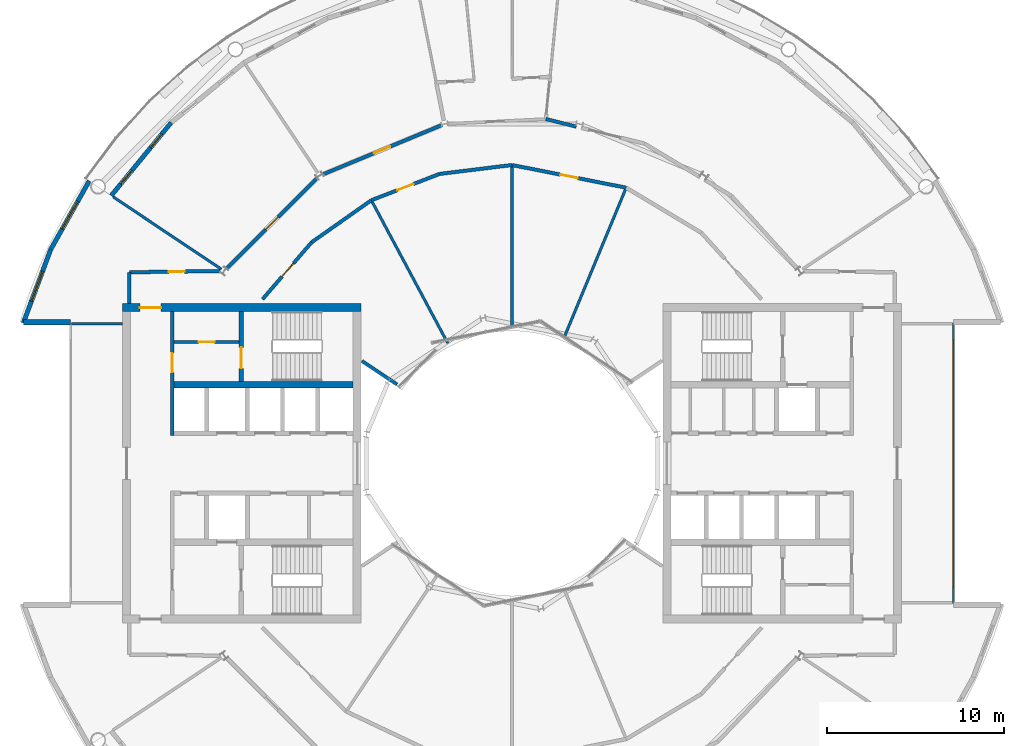
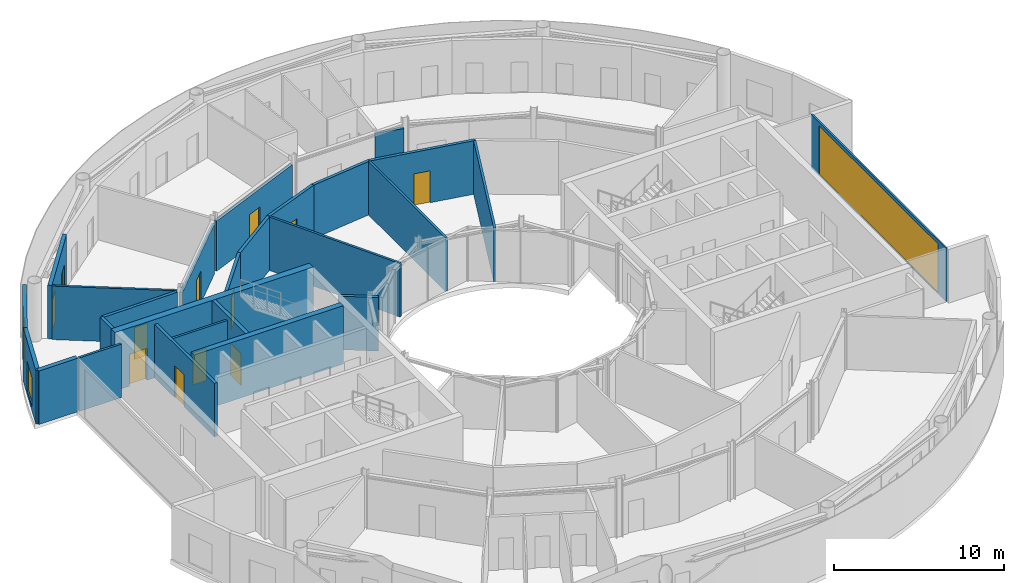
# One storey, part 17 of 22: 26 walls, 12 doors, 3 windows, 15 openings.
"""IFC4 building model written with IfcOpenShell, lengths in metres."""

from ifc_helpers import new_model, si_unit, direction, frame, frame_2d, origin, place, context, subcontext, project, spatial, rectangle, extrude, material, layer, layer_set, type_object, element, fill, save


model = new_model("IFC4")

# Units and contexts
model_context = context("Model", 3, precision=1e-05, world=origin(), true_north=direction((0.0, 1.0)))
body_context = subcontext(model_context, "Body", "Model", "MODEL_VIEW")
ifc_project = project(units=[si_unit("LENGTHUNIT", "METRE"), si_unit("AREAUNIT", "SQUARE_METRE"), si_unit("VOLUMEUNIT", "CUBIC_METRE"), si_unit("PLANEANGLEUNIT", "RADIAN"), si_unit("MASSUNIT", "GRAM", prefix="KILO")], contexts=[model_context])

# Site, building, storey
site_placement = place(None, origin())
site = spatial("IfcSite", under=ifc_project, at=site_placement, CompositionType="ELEMENT")
building_placement = place(site_placement, origin())
building = spatial("IfcBuilding", under=site, at=building_placement, Name="Maasbend Ring Residences", CompositionType="ELEMENT")
storey_placement = place(building_placement, frame((0.0, 0.0, 208.5)))
storey = spatial("IfcBuildingStorey", under=building, at=storey_placement, Name="L60", CompositionType="ELEMENT", Elevation=208.5)

# Wall, opening, door
ifc_material_1 = material(Name="Concrete C50/60", Category="concrete")
ifc_layer_1 = layer(ifc_material_1, 0.25)
ifc_layer_set_1 = layer_set([ifc_layer_1], Name="Concrete C50/60")
wall_type_1 = type_object("IfcWallType", Name="CORE WALL 250 C50/60", PredefinedType="SHEAR", material=ifc_layer_set_1)
wall_1_placement = place(storey_placement, frame((-15.324951171875, 8.60009765625, 0.0), z_axis=(0.0, 0.0, 1.0), x_axis=(0.0, -1.0, 0.0)))
wall_1 = element("IfcWall", 1, at=wall_1_placement, inside=storey, type_object=wall_type_1, Name="L60 core W wall STES", PredefinedType="SHEAR", context=body_context, shape_type="SweptSolid", body=[
    extrude(rectangle(XDim=3.9501953125, YDim=0.25, at=frame_2d((1.97509765625, 0.0))), origin(), (0.0, 0.0, 1.0), 4.199951171875),
])
opening_1_placement = place(wall_1_placement, frame((2.02490234375, 0.0, 0.0)))
opening_1 = element("IfcOpeningElement", 2, at=opening_1_placement, cuts=wall_1, Name="Opening D-W6011", PredefinedType="OPENING", context=body_context, shape_type="SweptSolid", body=[
    extrude(rectangle(XDim=1.199951171875, YDim=2.300048828125, at=frame_2d((0.60009765625, 1.14990234375))), frame((0.0, 0.135009765625, 0.0), z_axis=(0.0, -1.0, 0.0), x_axis=(1.0, 0.0, 0.0)), (0.0, 0.0, 1.0), 0.27001953125),
])
ifc_material_2 = material(Name="Steel, powder coated", Category="steel")
door_type_1 = type_object("IfcDoorType", Name="STAIR DOOR 1200 X 2300 FD60", OperationType="NOTDEFINED", PredefinedType="DOOR", material=ifc_material_2)
door_1_placement = place(opening_1_placement, origin())
door_1 = element("IfcDoor", 3, at=door_1_placement, inside=storey, type_object=door_type_1, Name="Stair door ST-W L60", OperationType="SINGLE_SWING_LEFT", OverallHeight=2.300048828125, OverallWidth=1.199951171875, PredefinedType="DOOR", context=body_context, shape_type="SweptSolid", body=[
    extrude(rectangle(XDim=1.199951171875, YDim=2.300048828125, at=frame_2d((0.60009765625, 1.14990234375))), frame((0.0, 0.02490234375, 0.0), z_axis=(0.0, -1.0, 0.0), x_axis=(1.0, 0.0, 0.0)), (0.0, 0.0, 1.0), 0.050048828125),
])
fill(opening_1, door_1)

# Wall
ifc_material_3 = material(Name="Concrete C50/60", Category="concrete")
ifc_layer_2 = layer(ifc_material_3, 0.375)
ifc_layer_set_2 = layer_set([ifc_layer_2], Name="Concrete C50/60")
wall_type_2 = type_object("IfcWallType", Name="CORE WALL 375 C50/60", PredefinedType="SHEAR", material=ifc_layer_set_2)
wall_2_placement = place(storey_placement, frame((-9.0, 4.46240234375, 0.0), z_axis=(0.0, 0.0, 1.0), x_axis=(-1.0, 0.0, 0.0)))
element("IfcWall", 4, at=wall_2_placement, inside=storey, type_object=wall_type_2, Name="L60 core W wall BS", PredefinedType="SHEAR", context=body_context, shape_type="SweptSolid", body=[
    extrude(rectangle(XDim=10.14990234375, YDim=0.375, at=frame_2d((5.074951171875, 0.0))), origin(), (0.0, 0.0, 1.0), 4.199951171875),
])

# Wall, opening, door
ifc_material_4 = material(Name="Concrete C50/60", Category="concrete")
ifc_layer_3 = layer(ifc_material_4, 0.449951171875)
ifc_layer_set_3 = layer_set([ifc_layer_3], Name="Concrete C50/60")
wall_type_3 = type_object("IfcWallType", Name="CORE WALL 450 C50/60", PredefinedType="SHEAR", material=ifc_layer_set_3)
wall_3_placement = place(storey_placement, frame((-8.550048828125, 8.824951171875, 0.0), z_axis=(0.0, 0.0, 1.0), x_axis=(-1.0, 0.0, 0.0)))
wall_3 = element("IfcWall", 5, at=wall_3_placement, inside=storey, type_object=wall_type_3, Name="L60 core W wall PS", PredefinedType="SHEAR", context=body_context, shape_type="SweptSolid", body=[
    extrude(rectangle(XDim=13.5, YDim=0.449951171875, at=frame_2d((6.75, 0.0))), origin(), (0.0, 0.0, 1.0), 4.199951171875),
])
opening_2_placement = place(wall_3_placement, frame((11.324951171875, 0.0, 0.0)))
opening_2 = element("IfcOpeningElement", 6, at=opening_2_placement, cuts=wall_3, Name="Opening D-W6015", PredefinedType="OPENING", context=body_context, shape_type="SweptSolid", body=[
    extrude(rectangle(XDim=1.199951171875, YDim=2.300048828125, at=frame_2d((0.60009765625, 1.14990234375))), frame((0.0, 0.23486328125, 0.0), z_axis=(0.0, -1.0, 0.0), x_axis=(1.0, 0.0, 0.0)), (0.0, 0.0, 1.0), 0.469970703125),
])
ifc_material_5 = material(Name="Steel, powder coated", Category="steel")
door_type_2 = type_object("IfcDoorType", Name="CORRIDOR DOOR 1200 X 2300 FD30S", OperationType="NOTDEFINED", PredefinedType="DOOR", material=ifc_material_5)
door_2_placement = place(opening_2_placement, origin())
door_2 = element("IfcDoor", 7, at=door_2_placement, inside=storey, type_object=door_type_2, Name="Corridor door L60", OperationType="SINGLE_SWING_LEFT", OverallHeight=2.300048828125, OverallWidth=1.199951171875, PredefinedType="DOOR", context=body_context, shape_type="SweptSolid", body=[
    extrude(rectangle(XDim=1.199951171875, YDim=2.300048828125, at=frame_2d((0.60009765625, 1.14990234375))), frame((0.0, 0.02490234375, 0.0), z_axis=(0.0, -1.0, 0.0), x_axis=(1.0, 0.0, 0.0)), (0.0, 0.0, 1.0), 0.050048828125),
])
fill(opening_2, door_2)

ifc_material_6 = material(Name="Concrete C30/37", Category="concrete")
ifc_layer_4 = layer(ifc_material_6, 0.199951171875)
ifc_layer_set_4 = layer_set([ifc_layer_4], Name="Concrete C30/37")
wall_type_4 = type_object("IfcWallType", Name="CORRIDOR WALL 200 CONCRETE", PredefinedType="PARTITIONING", material=ifc_layer_set_4)
wall_4_placement = place(storey_placement, frame((-21.675048828125, 10.824951171875, 0.0), z_axis=(0.0, 0.0, 1.0), x_axis=(0.999909707888, 0.013437859594, 0.0)))
wall_4 = element("IfcWall", 8, at=wall_4_placement, inside=storey, type_object=wall_type_4, Name="U-L60-w048", PredefinedType="PARTITIONING", context=body_context, shape_type="SweptSolid", body=[
    extrude(rectangle(XDim=5.1416015625, YDim=0.199951171875, at=frame_2d((2.57080078125, 0.0))), origin(), (0.0, 0.0, 1.0), 3.85009765625),
])
opening_3_placement = place(wall_4_placement, frame((2.23291015625, 0.0, 0.0)))
opening_3 = element("IfcOpeningElement", 9, at=opening_3_placement, cuts=wall_4, Name="Opening D-6024", PredefinedType="OPENING", context=body_context, shape_type="SweptSolid", body=[
    extrude(rectangle(XDim=0.89990234375, YDim=2.300048828125, at=frame_2d((0.449951171875, 1.14990234375))), frame((0.0, 0.10986328125, 0.0), z_axis=(0.0, -1.0, 0.0), x_axis=(1.0, 0.0, 0.0)), (0.0, 0.0, 1.0), 0.219970703125),
])
ifc_material_7 = material(Name="Steel, fire-rated, painted", Category="steel")
door_type_3 = type_object("IfcDoorType", Name="SERVICE DOOR 900 X 2300 FIRE-RATED", OperationType="NOTDEFINED", PredefinedType="DOOR", material=ifc_material_7)
door_3_placement = place(opening_3_placement, origin())
door_3 = element("IfcDoor", 10, at=door_3_placement, inside=storey, type_object=door_type_3, Name="D-6024", OperationType="SINGLE_SWING_RIGHT", OverallHeight=2.300048828125, OverallWidth=0.89990234375, PredefinedType="DOOR", context=body_context, shape_type="SweptSolid", body=[
    extrude(rectangle(XDim=0.89990234375, YDim=2.300048828125, at=frame_2d((0.449951171875, 1.14990234375))), frame((0.0, 0.02490234375, 0.0), z_axis=(0.0, -1.0, 0.0), x_axis=(1.0, 0.0, 0.0)), (0.0, 0.0, 1.0), 0.050048828125),
])
fill(opening_3, door_3)

wall_5_placement = place(storey_placement, frame((0.0, 16.89990234375, 0.0), z_axis=(0.0, 0.0, 1.0), x_axis=(0.980799374359, -0.195019453537, 0.0)))
wall_5 = element("IfcWall", 11, at=wall_5_placement, inside=storey, type_object=wall_type_4, Name="U-L60-w050", PredefinedType="PARTITIONING", context=body_context, shape_type="SweptSolid", body=[
    extrude(rectangle(XDim=6.59375, YDim=0.199951171875, at=frame_2d((3.296875, 0.0))), origin(), (0.0, 0.0, 1.0), 3.85009765625),
])
opening_4_placement = place(wall_5_placement, frame((2.797119140625, 0.0, 0.0)))
opening_4 = element("IfcOpeningElement", 12, at=opening_4_placement, cuts=wall_5, Name="Opening D-6013", PredefinedType="OPENING", context=body_context, shape_type="SweptSolid", body=[
    extrude(rectangle(XDim=1.0, YDim=2.300048828125, at=frame_2d((0.5, 1.14990234375))), frame((0.0, 0.10986328125, 0.0), z_axis=(0.0, -1.0, 0.0), x_axis=(1.0, 0.0, 0.0)), (0.0, 0.0, 1.0), 0.219970703125),
])
ifc_material_8 = material(Name="Timber, painted", Category="wood")
door_type_4 = type_object("IfcDoorType", Name="ROOM DOOR 1000 X 2300", OperationType="NOTDEFINED", PredefinedType="DOOR", material=ifc_material_8)
door_4_placement = place(opening_4_placement, origin())
door_4 = element("IfcDoor", 13, at=door_4_placement, inside=storey, type_object=door_type_4, Name="D-6013", OperationType="SINGLE_SWING_LEFT", OverallHeight=2.300048828125, OverallWidth=1.0, PredefinedType="DOOR", context=body_context, shape_type="SweptSolid", body=[
    extrude(rectangle(XDim=1.0, YDim=2.300048828125, at=frame_2d((0.5, 1.14990234375))), frame((0.0, 0.02490234375, 0.0), z_axis=(0.0, -1.0, 0.0), x_axis=(1.0, 0.0, 0.0)), (0.0, 0.0, 1.0), 0.050048828125),
])
fill(opening_4, door_4)

wall_6_placement = place(storey_placement, frame((-14.12890625, 9.300048828125, 0.0), z_axis=(0.0, 0.0, 1.0), x_axis=(0.65324486504, 0.757146713853, 0.0)))
wall_6 = element("IfcWall", 14, at=wall_6_placement, inside=storey, type_object=wall_type_4, Name="U-L60-w053", PredefinedType="PARTITIONING", context=body_context, shape_type="SweptSolid", body=[
    extrude(rectangle(XDim=4.25537109375, YDim=0.199951171875, at=frame_2d((2.127685546875, 0.0))), origin(), (0.0, 0.0, 1.0), 3.85009765625),
])
opening_5_placement = place(wall_6_placement, frame((1.68701171875, 0.0, 0.0)))
opening_5 = element("IfcOpeningElement", 15, at=opening_5_placement, cuts=wall_6, Name="Opening D-6015", PredefinedType="OPENING", context=body_context, shape_type="SweptSolid", body=[
    extrude(rectangle(XDim=1.0, YDim=2.300048828125, at=frame_2d((0.5, 1.14990234375))), frame((0.0, 0.10986328125, 0.0), z_axis=(0.0, -1.0, 0.0), x_axis=(1.0, 0.0, 0.0)), (0.0, 0.0, 1.0), 0.219970703125),
])
door_5_placement = place(opening_5_placement, origin())
door_5 = element("IfcDoor", 16, at=door_5_placement, inside=storey, type_object=door_type_4, Name="D-6015", OperationType="SINGLE_SWING_RIGHT", OverallHeight=2.300048828125, OverallWidth=1.0, PredefinedType="DOOR", context=body_context, shape_type="SweptSolid", body=[
    extrude(rectangle(XDim=1.0, YDim=2.300048828125, at=frame_2d((0.5, 1.14990234375))), frame((0.0, 0.02490234375, 0.0), z_axis=(0.0, -1.0, 0.0), x_axis=(1.0, 0.0, 0.0)), (0.0, 0.0, 1.0), 0.050048828125),
])
fill(opening_5, door_5)

# Wall
wall_7_placement = place(storey_placement, frame((-11.34912109375, 12.52197265625, 0.0), z_axis=(0.0, 0.0, 1.0), x_axis=(0.817567680547, 0.575832517079, 0.0)))
element("IfcWall", 17, at=wall_7_placement, inside=storey, type_object=wall_type_4, Name="U-L60-w054", PredefinedType="PARTITIONING", context=body_context, shape_type="SweptSolid", body=[
    extrude(rectangle(XDim=4.13671875, YDim=0.199951171875, at=frame_2d((2.068359375, 0.0))), origin(), (0.0, 0.0, 1.0), 3.85009765625),
])

# Wall, opening, door
wall_8_placement = place(storey_placement, frame((-7.967041015625, 14.904052734375, 0.0), z_axis=(0.0, 0.0, 1.0), x_axis=(0.932943640288, 0.360022449363, 0.0)))
wall_8 = element("IfcWall", 18, at=wall_8_placement, inside=storey, type_object=wall_type_4, Name="U-L60-w055", PredefinedType="PARTITIONING", context=body_context, shape_type="SweptSolid", body=[
    extrude(rectangle(XDim=4.138671875, YDim=0.199951171875, at=frame_2d((2.0693359375, 0.0))), origin(), (0.0, 0.0, 1.0), 3.85009765625),
])
opening_6_placement = place(wall_8_placement, frame((1.569091796875, 0.0, 0.0)))
opening_6 = element("IfcOpeningElement", 19, at=opening_6_placement, cuts=wall_8, Name="Opening D-6014", PredefinedType="OPENING", context=body_context, shape_type="SweptSolid", body=[
    extrude(rectangle(XDim=1.0, YDim=2.300048828125, at=frame_2d((0.5, 1.14990234375))), frame((0.0, 0.10986328125, 0.0), z_axis=(0.0, -1.0, 0.0), x_axis=(1.0, 0.0, 0.0)), (0.0, 0.0, 1.0), 0.219970703125),
])
door_6_placement = place(opening_6_placement, origin())
door_6 = element("IfcDoor", 20, at=door_6_placement, inside=storey, type_object=door_type_4, Name="D-6014", OperationType="SINGLE_SWING_RIGHT", OverallHeight=2.300048828125, OverallWidth=1.0, PredefinedType="DOOR", context=body_context, shape_type="SweptSolid", body=[
    extrude(rectangle(XDim=1.0, YDim=2.300048828125, at=frame_2d((0.5, 1.14990234375))), frame((0.0, 0.02490234375, 0.0), z_axis=(0.0, -1.0, 0.0), x_axis=(1.0, 0.0, 0.0)), (0.0, 0.0, 1.0), 0.050048828125),
])
fill(opening_6, door_6)

# Wall
wall_9_placement = place(storey_placement, frame((-4.10595703125, 16.39404296875, 0.0), z_axis=(0.0, 0.0, 1.0), x_axis=(0.992496033272, 0.122276833211, 0.0)))
element("IfcWall", 21, at=wall_9_placement, inside=storey, type_object=wall_type_4, Name="U-L60-w056", PredefinedType="PARTITIONING", context=body_context, shape_type="SweptSolid", body=[
    extrude(rectangle(XDim=4.136962890625, YDim=0.199951171875, at=frame_2d((2.068359375, 0.0))), origin(), (0.0, 0.0, 1.0), 3.85009765625),
])

# Wall, opening, door
wall_10_placement = place(storey_placement, frame((-16.18896484375, 10.9970703125, 0.0), z_axis=(0.0, 0.0, 1.0), x_axis=(0.707106781187, 0.707106781187, 0.0)))
wall_10 = element("IfcWall", 22, at=wall_10_placement, inside=storey, type_object=wall_type_4, Name="U-L60-w057", PredefinedType="PARTITIONING", context=body_context, shape_type="SweptSolid", body=[
    extrude(rectangle(XDim=7.342529296875, YDim=0.199951171875, at=frame_2d((3.67138671875, 0.0))), origin(), (0.0, 0.0, 1.0), 3.60009765625),
])
opening_7_placement = place(wall_10_placement, frame((3.1708984375, 0.0, 0.0)))
opening_7 = element("IfcOpeningElement", 23, at=opening_7_placement, cuts=wall_10, Name="Opening D-6011", PredefinedType="OPENING", context=body_context, shape_type="SweptSolid", body=[
    extrude(rectangle(XDim=1.0, YDim=2.300048828125, at=frame_2d((0.5, 1.14990234375))), frame((0.0, 0.10986328125, 0.0), z_axis=(0.0, -1.0, 0.0), x_axis=(1.0, 0.0, 0.0)), (0.0, 0.0, 1.0), 0.219970703125),
])
door_7_placement = place(opening_7_placement, origin())
door_7 = element("IfcDoor", 24, at=door_7_placement, inside=storey, type_object=door_type_4, Name="D-6011", OperationType="SINGLE_SWING_RIGHT", OverallHeight=2.300048828125, OverallWidth=1.0, PredefinedType="DOOR", context=body_context, shape_type="SweptSolid", body=[
    extrude(rectangle(XDim=1.0, YDim=2.300048828125, at=frame_2d((0.5, 1.14990234375))), frame((0.0, 0.02490234375, 0.0), z_axis=(0.0, -1.0, 0.0), x_axis=(1.0, 0.0, 0.0)), (0.0, 0.0, 1.0), 0.050048828125),
])
fill(opening_7, door_7)

wall_11_placement = place(storey_placement, frame((-10.748046875, 16.35498046875, 0.0), z_axis=(0.0, 0.0, 1.0), x_axis=(0.923857139404, 0.382737489635, 0.0)))
wall_11 = element("IfcWall", 25, at=wall_11_placement, inside=storey, type_object=wall_type_4, Name="U-L60-w058", PredefinedType="PARTITIONING", context=body_context, shape_type="SweptSolid", body=[
    extrude(rectangle(XDim=7.342041015625, YDim=0.199951171875, at=frame_2d((3.6708984375, 0.0))), origin(), (0.0, 0.0, 1.0), 3.60009765625),
])
opening_8_placement = place(wall_11_placement, frame((3.1708984375, 0.0, 0.0)))
opening_8 = element("IfcOpeningElement", 26, at=opening_8_placement, cuts=wall_11, Name="Opening D-6010", PredefinedType="OPENING", context=body_context, shape_type="SweptSolid", body=[
    extrude(rectangle(XDim=1.0, YDim=2.300048828125, at=frame_2d((0.5, 1.14990234375))), frame((0.0, 0.10986328125, 0.0), z_axis=(0.0, -1.0, 0.0), x_axis=(1.0, 0.0, 0.0)), (0.0, 0.0, 1.0), 0.219970703125),
])
door_8_placement = place(opening_8_placement, origin())
door_8 = element("IfcDoor", 27, at=door_8_placement, inside=storey, type_object=door_type_4, Name="D-6010", OperationType="SINGLE_SWING_RIGHT", OverallHeight=2.300048828125, OverallWidth=1.0, PredefinedType="DOOR", context=body_context, shape_type="SweptSolid", body=[
    extrude(rectangle(XDim=1.0, YDim=2.300048828125, at=frame_2d((0.5, 1.14990234375))), frame((0.0, 0.02490234375, 0.0), z_axis=(0.0, -1.0, 0.0), x_axis=(1.0, 0.0, 0.0)), (0.0, 0.0, 1.0), 0.050048828125),
])
fill(opening_8, door_8)

# Walls
wall_12_placement = place(storey_placement, frame((1.9208984375, 19.506103515625, 0.0), z_axis=(0.0, 0.0, 1.0), x_axis=(0.969996560647, -0.243118638391, 0.0)))
element("IfcWall", 28, at=wall_12_placement, inside=storey, type_object=wall_type_4, Name="U-L60-w060", PredefinedType="PARTITIONING", context=body_context, shape_type="SweptSolid", body=[
    extrude(rectangle(XDim=1.7734375, YDim=0.199951171875, at=frame_2d((0.88671875, 0.0))), origin(), (0.0, 0.0, 1.0), 3.60009765625),
])
wall_13_placement = place(storey_placement, frame((-21.675048828125, 9.050048828125, 0.0), z_axis=(0.0, 0.0, 1.0), x_axis=(0.0, 1.0, 0.0)))
element("IfcWall", 29, at=wall_13_placement, inside=storey, type_object=wall_type_4, Name="U-L60-w066", PredefinedType="PARTITIONING", context=body_context, shape_type="SweptSolid", body=[
    extrude(rectangle(XDim=1.77490234375, YDim=0.199951171875, at=frame_2d((0.887451171875, 0.0))), origin(), (0.0, 0.0, 1.0), 3.85009765625),
])

# Wall, openings, doors
ifc_material_9 = material(Name="Aluminium clad insulated panel", Category="aluminium")
ifc_layer_5 = layer(ifc_material_9, 0.25)
ifc_layer_set_5 = layer_set([ifc_layer_5], Name="EW-GL")
wall_type_5 = type_object("IfcWallType", Name="EW-GL", PredefinedType="SOLIDWALL", material=ifc_layer_set_5)
wall_14_placement = place(storey_placement, frame((-19.303955078125, 19.303955078125, 0.0), z_axis=(0.0, 0.0, 1.0), x_axis=(-0.634382322723, -0.773019449054, 0.0)))
wall_14 = element("IfcWall", 30, at=wall_14_placement, inside=storey, type_object=wall_type_5, Name="External wall N10", PredefinedType="SOLIDWALL", context=body_context, shape_type="SweptSolid", body=[
    extrude(rectangle(XDim=5.351806640625, YDim=0.25, at=frame_2d((2.67578125, 0.0))), origin(), (0.0, 0.0, 1.0), 3.85009765625),
])
opening_9_placement = place(wall_14_placement, frame((0.841064453125, 0.0, 0.0)))
opening_9 = element("IfcOpeningElement", 31, at=opening_9_placement, cuts=wall_14, Name="Opening D-LG", PredefinedType="OPENING", context=body_context, shape_type="SweptSolid", body=[
    extrude(rectangle(XDim=1.0, YDim=2.199951171875, at=frame_2d((0.5, 1.10009765625))), frame((0.0, 0.135009765625, 0.0), z_axis=(0.0, -1.0, 0.0), x_axis=(1.0, 0.0, 0.0)), (0.0, 0.0, 1.0), 0.27001953125),
])
opening_10_placement = place(wall_14_placement, frame((3.510498046875, 0.0, 0.0)))
opening_10 = element("IfcOpeningElement", 32, at=opening_10_placement, cuts=wall_14, Name="Opening D-LG", PredefinedType="OPENING", context=body_context, shape_type="SweptSolid", body=[
    extrude(rectangle(XDim=1.0, YDim=2.199951171875, at=frame_2d((0.5, 1.10009765625))), frame((0.0, 0.135009765625, 0.0), z_axis=(0.0, -1.0, 0.0), x_axis=(1.0, 0.0, 0.0)), (0.0, 0.0, 1.0), 0.27001953125),
])
ifc_material_10 = material(Name="Aluminium and clear glass", Category="aluminium")
door_type_5 = type_object("IfcDoorType", Name="D-LG", OperationType="SINGLE_SWING_LEFT", PredefinedType="DOOR", material=ifc_material_10)
door_9_placement = place(opening_9_placement, origin())
door_9 = element("IfcDoor", 33, at=door_9_placement, inside=storey, type_object=door_type_5, Name="Loggia door N19", OperationType="SINGLE_SWING_LEFT", OverallHeight=2.199951171875, OverallWidth=1.0, PredefinedType="DOOR", context=body_context, shape_type="SweptSolid", body=[
    extrude(rectangle(XDim=1.0, YDim=2.199951171875, at=frame_2d((0.5, 1.10009765625))), frame((0.0, 0.02490234375, 0.0), z_axis=(0.0, -1.0, 0.0), x_axis=(1.0, 0.0, 0.0)), (0.0, 0.0, 1.0), 0.050048828125),
])
fill(opening_9, door_9)
door_10_placement = place(opening_10_placement, origin())
door_10 = element("IfcDoor", 34, at=door_10_placement, inside=storey, type_object=door_type_5, Name="Loggia door N20", OperationType="SINGLE_SWING_LEFT", OverallHeight=2.199951171875, OverallWidth=1.0, PredefinedType="DOOR", context=body_context, shape_type="SweptSolid", body=[
    extrude(rectangle(XDim=1.0, YDim=2.199951171875, at=frame_2d((0.5, 1.10009765625))), frame((0.0, 0.02490234375, 0.0), z_axis=(0.0, -1.0, 0.0), x_axis=(1.0, 0.0, 0.0)), (0.0, 0.0, 1.0), 0.050048828125),
])
fill(opening_10, door_10)

# Wall, opening, window
ifc_material_11 = material(Name="Aluminium clad insulated panel", Category="aluminium")
ifc_layer_6 = layer(ifc_material_11, 0.25)
ifc_layer_set_6 = layer_set([ifc_layer_6], Name="EW-HORN")
wall_type_6 = type_object("IfcWallType", Name="EW-HORN", PredefinedType="SOLIDWALL", material=ifc_layer_set_6)
wall_15_placement = place(storey_placement, frame((-23.946044921875, 16.0, 0.0), z_axis=(0.0, 0.0, 1.0), x_axis=(-0.489696356642, -0.871893042919, 0.0)))
wall_15 = element("IfcWall", 35, at=wall_15_placement, inside=storey, type_object=wall_type_6, Name="Horn wall 4.1", PredefinedType="SOLIDWALL", context=body_context, shape_type="SweptSolid", body=[
    extrude(rectangle(XDim=4.45361328125, YDim=0.25, at=frame_2d((2.226806640625, 0.0))), origin(), (0.0, 0.0, 1.0), 3.85009765625),
])
opening_11_placement = place(wall_15_placement, frame((1.32666015625, 0.0, 0.300048828125)))
opening_11 = element("IfcOpeningElement", 36, at=opening_11_placement, cuts=wall_15, Name="Opening W-BX", PredefinedType="OPENING", context=body_context, shape_type="SweptSolid", body=[
    extrude(rectangle(XDim=1.800048828125, YDim=2.10009765625, at=frame_2d((0.89990234375, 1.050048828125))), frame((0.0, 0.135009765625, 0.0), z_axis=(0.0, -1.0, 0.0), x_axis=(1.0, 0.0, 0.0)), (0.0, 0.0, 1.0), 0.27001953125),
])
ifc_material_12 = material(Name="Aluminium and clear glass", Category="aluminium")
window_type_1 = type_object("IfcWindowType", Name="W-BX", PartitioningType="DOUBLE_PANEL_VERTICAL", PredefinedType="WINDOW", material=ifc_material_12)
window_1_placement = place(opening_11_placement, origin())
window_1 = element("IfcWindow", 37, at=window_1_placement, inside=storey, type_object=window_type_1, Name="Horn window 4.1", OverallHeight=2.10009765625, OverallWidth=1.800048828125, PartitioningType="SINGLE_PANEL", PredefinedType="WINDOW", context=body_context, shape_type="SweptSolid", body=[
    extrude(rectangle(XDim=1.800048828125, YDim=2.10009765625, at=frame_2d((0.89990234375, 1.050048828125))), frame((0.0, 0.030029296875, 0.0), z_axis=(0.0, -1.0, 0.0), x_axis=(1.0, 0.0, 0.0)), (0.0, 0.0, 1.0), 0.06005859375),
])
fill(opening_11, window_1)

wall_16_placement = place(storey_placement, frame((-26.126953125, 12.116943359375, 0.0), z_axis=(0.0, 0.0, 1.0), x_axis=(-0.349247811493, -0.937030397675, 0.0)))
wall_16 = element("IfcWall", 38, at=wall_16_placement, inside=storey, type_object=wall_type_6, Name="Horn wall 4.2", PredefinedType="SOLIDWALL", context=body_context, shape_type="SweptSolid", body=[
    extrude(rectangle(XDim=4.4521484375, YDim=0.25, at=frame_2d((2.22607421875, 0.0))), origin(), (0.0, 0.0, 1.0), 3.85009765625),
])
opening_12_placement = place(wall_16_placement, frame((1.32666015625, 0.0, 0.300048828125)))
opening_12 = element("IfcOpeningElement", 39, at=opening_12_placement, cuts=wall_16, Name="Opening W-BX", PredefinedType="OPENING", context=body_context, shape_type="SweptSolid", body=[
    extrude(rectangle(XDim=1.800048828125, YDim=2.10009765625, at=frame_2d((0.89990234375, 1.050048828125))), frame((0.0, 0.135009765625, 0.0), z_axis=(0.0, -1.0, 0.0), x_axis=(1.0, 0.0, 0.0)), (0.0, 0.0, 1.0), 0.27001953125),
])
window_2_placement = place(opening_12_placement, origin())
window_2 = element("IfcWindow", 40, at=window_2_placement, inside=storey, type_object=window_type_1, Name="Horn window 4.2", OverallHeight=2.10009765625, OverallWidth=1.800048828125, PartitioningType="SINGLE_PANEL", PredefinedType="WINDOW", context=body_context, shape_type="SweptSolid", body=[
    extrude(rectangle(XDim=1.800048828125, YDim=2.10009765625, at=frame_2d((0.89990234375, 1.050048828125))), frame((0.0, 0.030029296875, 0.0), z_axis=(0.0, -1.0, 0.0), x_axis=(1.0, 0.0, 0.0)), (0.0, 0.0, 1.0), 0.06005859375),
])
fill(opening_12, window_2)

# Wall
ifc_material_13 = material(Name="Aluminium clad insulated panel", Category="aluminium")
ifc_layer_7 = layer(ifc_material_13, 0.300048828125)
ifc_layer_set_7 = layer_set([ifc_layer_7], Name="EW-RET")
wall_type_7 = type_object("IfcWallType", Name="EW-RET", PredefinedType="SOLIDWALL", material=ifc_layer_set_7)
wall_17_placement = place(storey_placement, frame((-25.0, 8.0, 0.0), z_axis=(0.0, 0.0, 1.0), x_axis=(-1.0, 0.0, 0.0)))
element("IfcWall", 41, at=wall_17_placement, inside=storey, type_object=wall_type_7, Name="Notch return wall west north", PredefinedType="SOLIDWALL", context=body_context, shape_type="SweptSolid", body=[
    extrude(rectangle(XDim=2.6669921875, YDim=0.300048828125, at=frame_2d((1.33349609375, 0.0))), origin(), (0.0, 0.0, 1.0), 3.85009765625),
])

# Wall, opening, window
ifc_material_14 = material(Name="Aluminium frame and clear glass", Category="aluminium")
ifc_layer_8 = layer(ifc_material_14, 0.1201171875)
ifc_layer_set_8 = layer_set([ifc_layer_8], Name="GLAZED SCREEN WALL 120 EI 60")
wall_type_8 = type_object("IfcWallType", Name="GLAZED SCREEN WALL 120 EI 60", PredefinedType="PARTITIONING", material=ifc_layer_set_8)
wall_18_placement = place(storey_placement, frame((25.0, -7.949951171875, 0.0), z_axis=(0.0, 0.0, 1.0), x_axis=(0.0, 1.0, 0.0)))
wall_18 = element("IfcWall", 42, at=wall_18_placement, inside=storey, type_object=wall_type_8, Name="L60 core E wall FACE", PredefinedType="PARTITIONING", context=body_context, shape_type="SweptSolid", body=[
    extrude(rectangle(XDim=15.89990234375, YDim=0.1201171875, at=frame_2d((7.949951171875, 0.0))), origin(), (0.0, 0.0, 1.0), 3.85009765625),
])
opening_13_placement = place(wall_18_placement, frame((0.949951171875, 0.0, 0.10009765625)))
opening_13 = element("IfcOpeningElement", 43, at=opening_13_placement, cuts=wall_18, Name="Opening W-E6002", PredefinedType="OPENING", context=body_context, shape_type="SweptSolid", body=[
    extrude(rectangle(XDim=14.0, YDim=3.5, at=frame_2d((7.0, 1.75))), frame((0.0, 0.070068359375, 0.0), z_axis=(0.0, -1.0, 0.0), x_axis=(1.0, 0.0, 0.0)), (0.0, 0.0, 1.0), 0.14013671875),
])
ifc_material_15 = material(Name="Aluminium frame and clear glass", Category="aluminium")
window_type_2 = type_object("IfcWindowType", Name="FIXED WINDOW 14000 X 3500", PartitioningType="SINGLE_PANEL", PredefinedType="WINDOW", material=ifc_material_15)
window_3_placement = place(opening_13_placement, origin())
window_3 = element("IfcWindow", 44, at=window_3_placement, inside=storey, type_object=window_type_2, Name="Lobby window L60", OverallHeight=3.5, OverallWidth=14.0, PartitioningType="SINGLE_PANEL", PredefinedType="WINDOW", context=body_context, shape_type="SweptSolid", body=[
    extrude(rectangle(XDim=14.0, YDim=3.5, at=frame_2d((7.0, 1.75))), frame((0.0, 0.030029296875, 0.0), z_axis=(0.0, -1.0, 0.0), x_axis=(1.0, 0.0, 0.0)), (0.0, 0.0, 1.0), 0.06005859375),
])
fill(opening_13, window_3)

# Wall, opening, door
ifc_material_16 = material(Name="Gypsum board on steel studs", Category="steel")
ifc_layer_9 = layer(ifc_material_16, 0.14990234375)
ifc_layer_set_9 = layer_set([ifc_layer_9], Name="PARTITION 150 EI 60")
wall_type_9 = type_object("IfcWallType", Name="PARTITION 150 EI 60", PredefinedType="PARTITIONING", material=ifc_layer_set_9)
wall_19_placement = place(storey_placement, frame((-15.449951171875, 6.875, 0.0), z_axis=(0.0, 0.0, 1.0), x_axis=(-1.0, 0.0, 0.0)))
wall_19 = element("IfcWall", 45, at=wall_19_placement, inside=storey, type_object=wall_type_9, Name="L60 core W wall RHS", PredefinedType="PARTITIONING", context=body_context, shape_type="SweptSolid", body=[
    extrude(rectangle(XDim=3.699951171875, YDim=0.14990234375, at=frame_2d((1.85009765625, 0.0))), origin(), (0.0, 0.0, 1.0), 3.85009765625),
])
opening_14_placement = place(wall_19_placement, frame((1.39990234375, 0.0, 0.0)))
opening_14 = element("IfcOpeningElement", 46, at=opening_14_placement, cuts=wall_19, Name="Opening D-W6009", PredefinedType="OPENING", context=body_context, shape_type="SweptSolid", body=[
    extrude(rectangle(XDim=0.89990234375, YDim=2.300048828125, at=frame_2d((0.449951171875, 1.14990234375))), frame((0.0, 0.0849609375, 0.0), z_axis=(0.0, -1.0, 0.0), x_axis=(1.0, 0.0, 0.0)), (0.0, 0.0, 1.0), 0.169921875),
])
ifc_material_17 = material(Name="Steel, powder coated", Category="steel")
door_type_6 = type_object("IfcDoorType", Name="RISER DOOR 900 X 2300 FD60", OperationType="NOTDEFINED", PredefinedType="DOOR", material=ifc_material_17)
door_11_placement = place(opening_14_placement, origin())
door_11 = element("IfcDoor", 47, at=door_11_placement, inside=storey, type_object=door_type_6, Name="Riser door L60", OperationType="SINGLE_SWING_LEFT", OverallHeight=2.300048828125, OverallWidth=0.89990234375, PredefinedType="DOOR", context=body_context, shape_type="SweptSolid", body=[
    extrude(rectangle(XDim=0.89990234375, YDim=2.300048828125, at=frame_2d((0.449951171875, 1.14990234375))), frame((0.0, 0.02490234375, 0.0), z_axis=(0.0, -1.0, 0.0), x_axis=(1.0, 0.0, 0.0)), (0.0, 0.0, 1.0), 0.050048828125),
])
fill(opening_14, door_11)

# Walls
wall_20_placement = place(storey_placement, frame((-22.050048828125, 7.89990234375, 0.0), z_axis=(0.0, 0.0, 1.0), x_axis=(-1.0, 0.0, 0.0)))
element("IfcWall", 48, at=wall_20_placement, inside=storey, type_object=wall_type_9, Name="L60 core W wall CITS", PredefinedType="PARTITIONING", context=body_context, shape_type="SweptSolid", body=[
    extrude(rectangle(XDim=2.889892578125, YDim=0.14990234375, at=frame_2d((1.44482421875, 0.0))), origin(), (0.0, 0.0, 1.0), 3.85009765625),
])
ifc_material_18 = material(Name="Gypsum board on steel studs", Category="steel")
ifc_layer_10 = layer(ifc_material_18, 0.14990234375)
ifc_layer_set_10 = layer_set([ifc_layer_10], Name="PARTITION 150 GYPSUM")
wall_type_10 = type_object("IfcWallType", Name="PARTITION 150 GYPSUM", PredefinedType="PARTITIONING", material=ifc_layer_set_10)
wall_21_placement = place(storey_placement, frame((-22.594970703125, 15.097900390625, 0.0), z_axis=(0.0, 0.0, 1.0), x_axis=(0.831433566583, -0.555624175463, 0.0)))
element("IfcWall", 49, at=wall_21_placement, inside=storey, type_object=wall_type_10, Name="U-L60-w023", PredefinedType="PARTITIONING", context=body_context, shape_type="SweptSolid", body=[
    extrude(rectangle(XDim=7.375244140625, YDim=0.14990234375, at=frame_2d((3.6875, 0.0))), origin(), (0.0, 0.0, 1.0), 3.85009765625),
])
wall_22_placement = place(storey_placement, frame((-7.967041015625, 14.904052734375, 0.0), z_axis=(0.0, 0.0, 1.0), x_axis=(0.471460365694, -0.881887251059, 0.0)))
element("IfcWall", 50, at=wall_22_placement, inside=storey, type_object=wall_type_10, Name="U-L60-w031", PredefinedType="PARTITIONING", context=body_context, shape_type="SweptSolid", body=[
    extrude(rectangle(XDim=9.18017578125, YDim=0.14990234375, at=frame_2d((4.590087890625, 0.0))), origin(), (0.0, 0.0, 1.0), 3.85009765625),
])
wall_23_placement = place(storey_placement, frame((0.0, 7.719970703125, 0.0), z_axis=(0.0, 0.0, 1.0), x_axis=(0.0, 1.0, 0.0)))
element("IfcWall", 51, at=wall_23_placement, inside=storey, type_object=wall_type_10, Name="U-L60-w036", PredefinedType="PARTITIONING", context=body_context, shape_type="SweptSolid", body=[
    extrude(rectangle(XDim=9.179931640625, YDim=0.14990234375, at=frame_2d((4.58984375, 0.0))), origin(), (0.0, 0.0, 1.0), 3.85009765625),
])
wall_24_placement = place(storey_placement, frame((2.9541015625, 7.132080078125, 0.0), z_axis=(0.0, 0.0, 1.0), x_axis=(0.382646942224, 0.923894646378, 0.0)))
element("IfcWall", 52, at=wall_24_placement, inside=storey, type_object=wall_type_10, Name="U-L60-w040", PredefinedType="PARTITIONING", context=body_context, shape_type="SweptSolid", body=[
    extrude(rectangle(XDim=9.1806640625, YDim=0.14990234375, at=frame_2d((4.59033203125, 0.0))), origin(), (0.0, 0.0, 1.0), 3.85009765625),
])
ifc_material_19 = material(Name="Concrete C30/37", Category="concrete")
ifc_layer_11 = layer(ifc_material_19, 0.199951171875)
ifc_layer_set_11 = layer_set([ifc_layer_11], Name="Concrete C30/37")
wall_type_11 = type_object("IfcWallType", Name="PARTY WALL 200 CONCRETE", PredefinedType="PARTITIONING", material=ifc_layer_set_11)
wall_25_placement = place(storey_placement, frame((-6.512939453125, 4.471923828125, 0.0), z_axis=(0.0, 0.0, 1.0), x_axis=(-0.831403409976, 0.555669299026, 0.0)))
element("IfcWall", 53, at=wall_25_placement, inside=storey, type_object=wall_type_11, Name="U-L60-w046", PredefinedType="PARTITIONING", context=body_context, shape_type="SweptSolid", body=[
    extrude(rectangle(XDim=2.382568359375, YDim=0.199951171875, at=frame_2d((1.19140625, 0.0))), origin(), (0.0, 0.0, 1.0), 3.85009765625),
])

# Wall, opening, door
ifc_material_20 = material(Name="Concrete C30/37", Category="concrete")
ifc_layer_12 = layer(ifc_material_20, 0.199951171875)
ifc_layer_set_12 = layer_set([ifc_layer_12], Name="Concrete C30/37")
wall_type_12 = type_object("IfcWallType", Name="SHAFT WALL 200 EI 120", PredefinedType="SOLIDWALL", material=ifc_layer_set_12)
wall_26_placement = place(storey_placement, frame((-19.25, 8.60009765625, 0.0), z_axis=(0.0, 0.0, 1.0), x_axis=(0.0, -1.0, 0.0)))
wall_26 = element("IfcWall", 54, at=wall_26_placement, inside=storey, type_object=wall_type_12, Name="L60 core W wall ENDS", PredefinedType="SOLIDWALL", context=body_context, shape_type="SweptSolid", body=[
    extrude(rectangle(XDim=7.025146484375, YDim=0.199951171875, at=frame_2d((3.5126953125, 0.0))), origin(), (0.0, 0.0, 1.0), 3.85009765625),
])
opening_15_placement = place(wall_26_placement, frame((2.35009765625, 0.0, 0.0)))
opening_15 = element("IfcOpeningElement", 55, at=opening_15_placement, cuts=wall_26, Name="Opening D-W6013", PredefinedType="OPENING", context=body_context, shape_type="SweptSolid", body=[
    extrude(rectangle(XDim=1.10009765625, YDim=2.300048828125, at=frame_2d((0.550048828125, 1.14990234375))), frame((0.0, 0.10986328125, 0.0), z_axis=(0.0, -1.0, 0.0), x_axis=(1.0, 0.0, 0.0)), (0.0, 0.0, 1.0), 0.219970703125),
])
ifc_material_21 = material(Name="Steel, powder coated", Category="steel")
door_type_7 = type_object("IfcDoorType", Name="LOBBY DOOR 1100 X 2300 FD60", OperationType="NOTDEFINED", PredefinedType="DOOR", material=ifc_material_21)
door_12_placement = place(opening_15_placement, origin())
door_12 = element("IfcDoor", 56, at=door_12_placement, inside=storey, type_object=door_type_7, Name="Lobby door L60", OperationType="SINGLE_SWING_RIGHT", OverallHeight=2.300048828125, OverallWidth=1.10009765625, PredefinedType="DOOR", context=body_context, shape_type="SweptSolid", body=[
    extrude(rectangle(XDim=1.10009765625, YDim=2.300048828125, at=frame_2d((0.550048828125, 1.14990234375))), frame((0.0, 0.02490234375, 0.0), z_axis=(0.0, -1.0, 0.0), x_axis=(1.0, 0.0, 0.0)), (0.0, 0.0, 1.0), 0.050048828125),
])
fill(opening_15, door_12)

save(model, "model.ifc")
